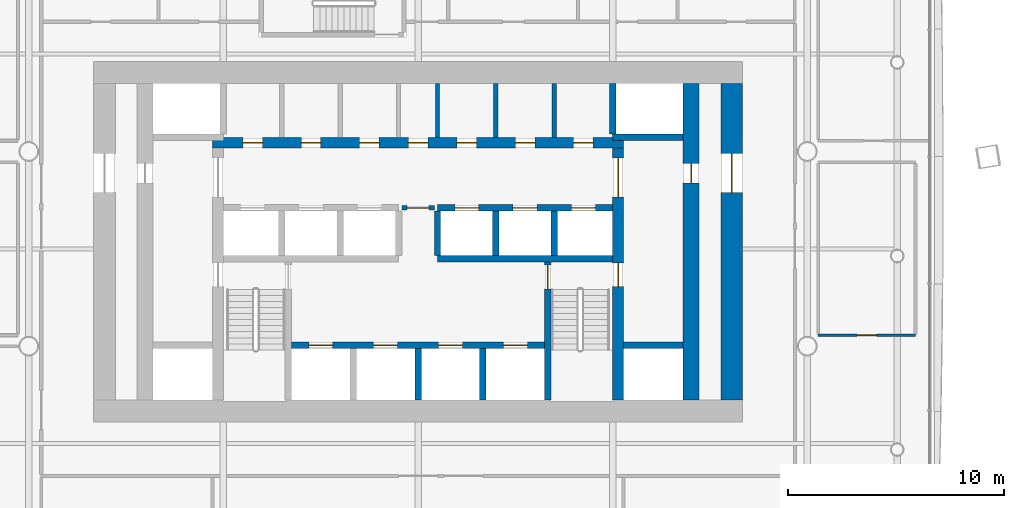
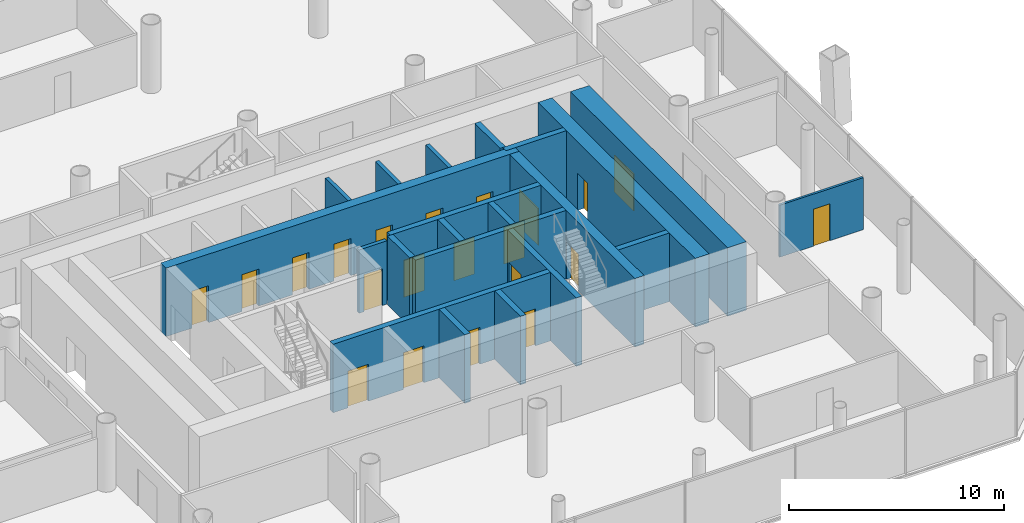
# One storey, part 14 of 21: 21 doors, 21 walls, 21 openings.
"""IFC4 building model written with IfcOpenShell, lengths in metres."""

from ifc_helpers import new_model, si_unit, direction, frame, frame_2d, origin, place, context, subcontext, project, spatial, rectangle, extrude, material, layer, layer_set, type_object, element, fill, save


model = new_model("IFC4")

# Units and contexts
model_context = context("Model", 3, precision=1e-05, world=origin(), true_north=direction((0.0, 1.0)))
body_context = subcontext(model_context, "Body", "Model", "MODEL_VIEW")
ifc_project = project(units=[si_unit("LENGTHUNIT", "METRE"), si_unit("AREAUNIT", "SQUARE_METRE"), si_unit("VOLUMEUNIT", "CUBIC_METRE"), si_unit("PLANEANGLEUNIT", "RADIAN"), si_unit("MASSUNIT", "GRAM", prefix="KILO")], contexts=[model_context])

# Site, building, storey
site_placement = place(None, origin())
site = spatial("IfcSite", under=ifc_project, at=site_placement, CompositionType="ELEMENT")
building_placement = place(site_placement, origin())
building = spatial("IfcBuilding", under=site, at=building_placement, Name="Tskaro Facet Tower", CompositionType="ELEMENT")
storey_placement = place(building_placement, frame((0.0, 0.0, 42.0)))
storey = spatial("IfcBuildingStorey", under=building, at=storey_placement, Name="L09", CompositionType="ELEMENT", Elevation=42.0)

# Wall, openings, doors
ifc_material_1 = material(Name="Concrete C60/75", Category="concrete")
ifc_layer_1 = layer(ifc_material_1, 0.300048828125, Name="Concrete C60/75")
ifc_layer_set_1 = layer_set([ifc_layer_1], Name="Concrete C60/75")
wall_type_1 = type_object("IfcWallType", Name="CORE-SHAFT", PredefinedType="SHEAR", material=ifc_layer_set_1)
wall_1_placement = place(storey_placement, frame((-5.85009765625, -8.949951171875, 0.0), z_axis=(0.0, 0.0, 1.0), x_axis=(1.0, 0.0, 0.0)))
wall_1 = element("IfcWall", 1, at=wall_1_placement, inside=storey, type_object=wall_type_1, Name="Shaft wall W006", PredefinedType="SHEAR", context=body_context, shape_type="SweptSolid", body=[
    extrude(rectangle(XDim=11.7001953125, YDim=0.300048828125, at=frame_2d((5.85009765625, 0.0))), origin(), (0.0, 0.0, 1.0), 3.89990234375),
])
opening_1_placement = place(wall_1_placement, frame((0.800048828125, 0.0, 0.0)))
opening_1 = element("IfcOpeningElement", 2, at=opening_1_placement, cuts=wall_1, Name="Opening LD-FF1", PredefinedType="OPENING", context=body_context, shape_type="SweptSolid", body=[
    extrude(rectangle(XDim=1.10009765625, YDim=2.10009765625, at=frame_2d((0.550048828125, 1.050048828125))), frame((0.0, 0.159912109375, 0.0), z_axis=(0.0, -1.0, 0.0), x_axis=(1.0, 0.0, 0.0)), (0.0, 0.0, 1.0), 0.320068359375),
])
opening_2_placement = place(wall_1_placement, frame((3.800048828125, 0.0, 0.0)))
opening_2 = element("IfcOpeningElement", 3, at=opening_2_placement, cuts=wall_1, Name="Opening LD-FF2", PredefinedType="OPENING", context=body_context, shape_type="SweptSolid", body=[
    extrude(rectangle(XDim=1.10009765625, YDim=2.10009765625, at=frame_2d((0.550048828125, 1.050048828125))), frame((0.0, 0.159912109375, 0.0), z_axis=(0.0, -1.0, 0.0), x_axis=(1.0, 0.0, 0.0)), (0.0, 0.0, 1.0), 0.320068359375),
])
opening_3_placement = place(wall_1_placement, frame((6.800048828125, 0.0, 0.0)))
opening_3 = element("IfcOpeningElement", 4, at=opening_3_placement, cuts=wall_1, Name="Opening LD-SV1", PredefinedType="OPENING", context=body_context, shape_type="SweptSolid", body=[
    extrude(rectangle(XDim=1.10009765625, YDim=2.10009765625, at=frame_2d((0.550048828125, 1.050048828125))), frame((0.0, 0.159912109375, 0.0), z_axis=(0.0, -1.0, 0.0), x_axis=(1.0, 0.0, 0.0)), (0.0, 0.0, 1.0), 0.320068359375),
])
opening_4_placement = place(wall_1_placement, frame((9.800048828125, 0.0, 0.0)))
opening_4 = element("IfcOpeningElement", 5, at=opening_4_placement, cuts=wall_1, Name="Opening LD-SV2", PredefinedType="OPENING", context=body_context, shape_type="SweptSolid", body=[
    extrude(rectangle(XDim=1.10009765625, YDim=2.10009765625, at=frame_2d((0.550048828125, 1.050048828125))), frame((0.0, 0.159912109375, 0.0), z_axis=(0.0, -1.0, 0.0), x_axis=(1.0, 0.0, 0.0)), (0.0, 0.0, 1.0), 0.320068359375),
])
ifc_material_2 = material(Name="Stainless steel", Category="steel")
door_type_1 = type_object("IfcDoorType", Name="D-LANDING", OperationType="NOTDEFINED", PredefinedType="DOOR", material=ifc_material_2)
door_1_placement = place(opening_1_placement, origin())
door_1 = element("IfcDoor", 6, at=door_1_placement, inside=storey, type_object=door_type_1, Name="Landing door FF1", OperationType="DOUBLE_DOOR_SLIDING", OverallHeight=2.10009765625, OverallWidth=1.10009765625, PredefinedType="DOOR", context=body_context, shape_type="SweptSolid", body=[
    extrude(rectangle(XDim=1.10009765625, YDim=2.10009765625, at=frame_2d((0.550048828125, 1.050048828125))), frame((0.0, 0.02490234375, 0.0), z_axis=(0.0, -1.0, 0.0), x_axis=(1.0, 0.0, 0.0)), (0.0, 0.0, 1.0), 0.050048828125),
])
fill(opening_1, door_1)
door_2_placement = place(opening_2_placement, origin())
door_2 = element("IfcDoor", 7, at=door_2_placement, inside=storey, type_object=door_type_1, Name="Landing door FF2", OperationType="DOUBLE_DOOR_SLIDING", OverallHeight=2.10009765625, OverallWidth=1.10009765625, PredefinedType="DOOR", context=body_context, shape_type="SweptSolid", body=[
    extrude(rectangle(XDim=1.10009765625, YDim=2.10009765625, at=frame_2d((0.550048828125, 1.050048828125))), frame((0.0, 0.02490234375, 0.0), z_axis=(0.0, -1.0, 0.0), x_axis=(1.0, 0.0, 0.0)), (0.0, 0.0, 1.0), 0.050048828125),
])
fill(opening_2, door_2)
door_3_placement = place(opening_3_placement, origin())
door_3 = element("IfcDoor", 8, at=door_3_placement, inside=storey, type_object=door_type_1, Name="Landing door SV1", OperationType="DOUBLE_DOOR_SLIDING", OverallHeight=2.10009765625, OverallWidth=1.10009765625, PredefinedType="DOOR", context=body_context, shape_type="SweptSolid", body=[
    extrude(rectangle(XDim=1.10009765625, YDim=2.10009765625, at=frame_2d((0.550048828125, 1.050048828125))), frame((0.0, 0.02490234375, 0.0), z_axis=(0.0, -1.0, 0.0), x_axis=(1.0, 0.0, 0.0)), (0.0, 0.0, 1.0), 0.050048828125),
])
fill(opening_3, door_3)
door_4_placement = place(opening_4_placement, origin())
door_4 = element("IfcDoor", 9, at=door_4_placement, inside=storey, type_object=door_type_1, Name="Landing door SV2", OperationType="DOUBLE_DOOR_SLIDING", OverallHeight=2.10009765625, OverallWidth=1.10009765625, PredefinedType="DOOR", context=body_context, shape_type="SweptSolid", body=[
    extrude(rectangle(XDim=1.10009765625, YDim=2.10009765625, at=frame_2d((0.550048828125, 1.050048828125))), frame((0.0, 0.02490234375, 0.0), z_axis=(0.0, -1.0, 0.0), x_axis=(1.0, 0.0, 0.0)), (0.0, 0.0, 1.0), 0.050048828125),
])
fill(opening_4, door_4)

# Walls
wall_2_placement = place(storey_placement, frame((9.5, -8.949951171875, 0.0), z_axis=(0.0, 0.0, 1.0), x_axis=(1.0, 0.0, 0.0)))
element("IfcWall", 10, at=wall_2_placement, inside=storey, type_object=wall_type_1, Name="Shaft wall W007", PredefinedType="SHEAR", context=body_context, shape_type="SweptSolid", body=[
    extrude(rectangle(XDim=2.75, YDim=0.300048828125, at=frame_2d((1.375, 0.0))), origin(), (0.0, 0.0, 1.0), 3.89990234375),
])
wall_3_placement = place(storey_placement, frame((0.89990234375, -4.949951171875, 0.0), z_axis=(0.0, 0.0, 1.0), x_axis=(1.0, 0.0, 0.0)))
element("IfcWall", 11, at=wall_3_placement, inside=storey, type_object=wall_type_1, Name="Shaft wall W011", PredefinedType="SHEAR", context=body_context, shape_type="SweptSolid", body=[
    extrude(rectangle(XDim=8.10009765625, YDim=0.300048828125, at=frame_2d((4.050048828125, 0.0))), origin(), (0.0, 0.0, 1.0), 3.89990234375),
])

# Wall, openings, doors
wall_4_placement = place(storey_placement, frame((0.89990234375, -2.60009765625, 0.0), z_axis=(0.0, 0.0, 1.0), x_axis=(1.0, 0.0, 0.0)))
wall_4 = element("IfcWall", 12, at=wall_4_placement, inside=storey, type_object=wall_type_1, Name="Shaft wall W014", PredefinedType="SHEAR", context=body_context, shape_type="SweptSolid", body=[
    extrude(rectangle(XDim=8.10009765625, YDim=0.300048828125, at=frame_2d((4.050048828125, 0.0))), origin(), (0.0, 0.0, 1.0), 3.89990234375),
])
opening_5_placement = place(wall_4_placement, frame((0.800048828125, 0.0, 0.0)))
opening_5 = element("IfcOpeningElement", 13, at=opening_5_placement, cuts=wall_4, Name="Opening LD-LR4", PredefinedType="OPENING", context=body_context, shape_type="SweptSolid", body=[
    extrude(rectangle(XDim=1.10009765625, YDim=2.10009765625, at=frame_2d((0.550048828125, 1.050048828125))), frame((0.0, 0.159912109375, 0.0), z_axis=(0.0, -1.0, 0.0), x_axis=(1.0, 0.0, 0.0)), (0.0, 0.0, 1.0), 0.320068359375),
])
opening_6_placement = place(wall_4_placement, frame((3.5, 0.0, 0.0)))
opening_6 = element("IfcOpeningElement", 14, at=opening_6_placement, cuts=wall_4, Name="Opening LD-LR5", PredefinedType="OPENING", context=body_context, shape_type="SweptSolid", body=[
    extrude(rectangle(XDim=1.10009765625, YDim=2.10009765625, at=frame_2d((0.550048828125, 1.050048828125))), frame((0.0, 0.159912109375, 0.0), z_axis=(0.0, -1.0, 0.0), x_axis=(1.0, 0.0, 0.0)), (0.0, 0.0, 1.0), 0.320068359375),
])
opening_7_placement = place(wall_4_placement, frame((6.199951171875, 0.0, 0.0)))
opening_7 = element("IfcOpeningElement", 15, at=opening_7_placement, cuts=wall_4, Name="Opening LD-LR6", PredefinedType="OPENING", context=body_context, shape_type="SweptSolid", body=[
    extrude(rectangle(XDim=1.10009765625, YDim=2.10009765625, at=frame_2d((0.550048828125, 1.050048828125))), frame((0.0, 0.159912109375, 0.0), z_axis=(0.0, -1.0, 0.0), x_axis=(1.0, 0.0, 0.0)), (0.0, 0.0, 1.0), 0.320068359375),
])
door_5_placement = place(opening_5_placement, origin())
door_5 = element("IfcDoor", 16, at=door_5_placement, inside=storey, type_object=door_type_1, Name="Landing door LR4", OperationType="DOUBLE_DOOR_SLIDING", OverallHeight=2.10009765625, OverallWidth=1.10009765625, PredefinedType="DOOR", context=body_context, shape_type="SweptSolid", body=[
    extrude(rectangle(XDim=1.10009765625, YDim=2.10009765625, at=frame_2d((0.550048828125, 1.050048828125))), frame((0.0, 0.02490234375, 0.0), z_axis=(0.0, -1.0, 0.0), x_axis=(1.0, 0.0, 0.0)), (0.0, 0.0, 1.0), 0.050048828125),
])
fill(opening_5, door_5)
door_6_placement = place(opening_6_placement, origin())
door_6 = element("IfcDoor", 17, at=door_6_placement, inside=storey, type_object=door_type_1, Name="Landing door LR5", OperationType="DOUBLE_DOOR_SLIDING", OverallHeight=2.10009765625, OverallWidth=1.10009765625, PredefinedType="DOOR", context=body_context, shape_type="SweptSolid", body=[
    extrude(rectangle(XDim=1.10009765625, YDim=2.10009765625, at=frame_2d((0.550048828125, 1.050048828125))), frame((0.0, 0.02490234375, 0.0), z_axis=(0.0, -1.0, 0.0), x_axis=(1.0, 0.0, 0.0)), (0.0, 0.0, 1.0), 0.050048828125),
])
fill(opening_6, door_6)
door_7_placement = place(opening_7_placement, origin())
door_7 = element("IfcDoor", 18, at=door_7_placement, inside=storey, type_object=door_type_1, Name="Landing door LR6", OperationType="DOUBLE_DOOR_SLIDING", OverallHeight=2.10009765625, OverallWidth=1.10009765625, PredefinedType="DOOR", context=body_context, shape_type="SweptSolid", body=[
    extrude(rectangle(XDim=1.10009765625, YDim=2.10009765625, at=frame_2d((0.550048828125, 1.050048828125))), frame((0.0, 0.02490234375, 0.0), z_axis=(0.0, -1.0, 0.0), x_axis=(1.0, 0.0, 0.0)), (0.0, 0.0, 1.0), 0.050048828125),
])
fill(opening_7, door_7)

# Walls
wall_5_placement = place(storey_placement, frame((12.25, 0.64990234375, 0.0), z_axis=(0.0, 0.0, 1.0), x_axis=(-1.0, 0.0, 0.0)))
element("IfcWall", 19, at=wall_5_placement, inside=storey, type_object=wall_type_1, Name="Shaft wall W020", PredefinedType="SHEAR", context=body_context, shape_type="SweptSolid", body=[
    extrude(rectangle(XDim=3.25, YDim=0.300048828125, at=frame_2d((1.625, 0.0))), origin(), (0.0, 0.0, 1.0), 3.89990234375),
])
wall_6_placement = place(storey_placement, frame((0.0, -11.5, 0.0), z_axis=(0.0, 0.0, 1.0), x_axis=(0.0, 1.0, 0.0)))
element("IfcWall", 20, at=wall_6_placement, inside=storey, type_object=wall_type_1, Name="Shaft wall W059", PredefinedType="SHEAR", context=body_context, shape_type="SweptSolid", body=[
    extrude(rectangle(XDim=2.39990234375, YDim=0.300048828125, at=frame_2d((1.199951171875, 0.0))), origin(), (0.0, 0.0, 1.0), 3.89990234375),
])
wall_7_placement = place(storey_placement, frame((0.89990234375, -4.800048828125, 0.0), z_axis=(0.0, 0.0, 1.0), x_axis=(0.0, 1.0, 0.0)))
element("IfcWall", 21, at=wall_7_placement, inside=storey, type_object=wall_type_1, Name="Shaft wall W060", PredefinedType="SHEAR", context=body_context, shape_type="SweptSolid", body=[
    extrude(rectangle(XDim=2.050048828125, YDim=0.300048828125, at=frame_2d((1.02490234375, 0.0))), origin(), (0.0, 0.0, 1.0), 3.89990234375),
])
wall_8_placement = place(storey_placement, frame((3.0, -11.5, 0.0), z_axis=(0.0, 0.0, 1.0), x_axis=(0.0, 1.0, 0.0)))
element("IfcWall", 22, at=wall_8_placement, inside=storey, type_object=wall_type_1, Name="Shaft wall W063", PredefinedType="SHEAR", context=body_context, shape_type="SweptSolid", body=[
    extrude(rectangle(XDim=2.39990234375, YDim=0.300048828125, at=frame_2d((1.199951171875, 0.0))), origin(), (0.0, 0.0, 1.0), 3.89990234375),
])
wall_9_placement = place(storey_placement, frame((3.60009765625, -4.800048828125, 0.0), z_axis=(0.0, 0.0, 1.0), x_axis=(0.0, 1.0, 0.0)))
element("IfcWall", 23, at=wall_9_placement, inside=storey, type_object=wall_type_1, Name="Shaft wall W064", PredefinedType="SHEAR", context=body_context, shape_type="SweptSolid", body=[
    extrude(rectangle(XDim=2.050048828125, YDim=0.300048828125, at=frame_2d((1.02490234375, 0.0))), origin(), (0.0, 0.0, 1.0), 3.89990234375),
])

# Wall, opening, door
wall_10_placement = place(storey_placement, frame((6.0, -5.10009765625, 0.0), z_axis=(0.0, 0.0, 1.0), x_axis=(0.0, -1.0, 0.0)))
wall_10 = element("IfcWall", 24, at=wall_10_placement, inside=storey, type_object=wall_type_1, Name="Shaft wall W066", PredefinedType="SHEAR", context=body_context, shape_type="SweptSolid", body=[
    extrude(rectangle(XDim=6.39990234375, YDim=0.300048828125, at=frame_2d((3.199951171875, 0.0))), origin(), (0.0, 0.0, 1.0), 3.89990234375),
])
opening_8_placement = place(wall_10_placement, frame((0.14990234375, 0.0, 0.0)))
opening_8 = element("IfcOpeningElement", 25, at=opening_8_placement, cuts=wall_10, Name="Opening ST-2-D1", PredefinedType="OPENING", context=body_context, shape_type="SweptSolid", body=[
    extrude(rectangle(XDim=1.10009765625, YDim=2.10009765625, at=frame_2d((0.550048828125, 1.050048828125))), frame((0.0, 0.159912109375, 0.0), z_axis=(0.0, -1.0, 0.0), x_axis=(1.0, 0.0, 0.0)), (0.0, 0.0, 1.0), 0.320068359375),
])
ifc_material_3 = material(Name="Steel", Category="steel")
door_type_2 = type_object("IfcDoorType", Name="D-STAIR", OperationType="NOTDEFINED", PredefinedType="DOOR", material=ifc_material_3)
door_8_placement = place(opening_8_placement, origin())
door_8 = element("IfcDoor", 26, at=door_8_placement, inside=storey, type_object=door_type_2, Name="Stair door 2", OperationType="SINGLE_SWING_RIGHT", OverallHeight=2.10009765625, OverallWidth=1.10009765625, PredefinedType="DOOR", context=body_context, shape_type="SweptSolid", body=[
    extrude(rectangle(XDim=1.10009765625, YDim=2.10009765625, at=frame_2d((0.550048828125, 1.050048828125))), frame((0.0, 0.02490234375, 0.0), z_axis=(0.0, -1.0, 0.0), x_axis=(1.0, 0.0, 0.0)), (0.0, 0.0, 1.0), 0.050048828125),
])
fill(opening_8, door_8)

# Walls
wall_11_placement = place(storey_placement, frame((6.300048828125, -4.800048828125, 0.0), z_axis=(0.0, 0.0, 1.0), x_axis=(0.0, 1.0, 0.0)))
element("IfcWall", 27, at=wall_11_placement, inside=storey, type_object=wall_type_1, Name="Shaft wall W067", PredefinedType="SHEAR", context=body_context, shape_type="SweptSolid", body=[
    extrude(rectangle(XDim=2.050048828125, YDim=0.300048828125, at=frame_2d((1.02490234375, 0.0))), origin(), (0.0, 0.0, 1.0), 3.89990234375),
])
wall_12_placement = place(storey_placement, frame((9.0, 0.800048828125, 0.0), z_axis=(0.0, 0.0, 1.0), x_axis=(0.0, 1.0, 0.0)))
element("IfcWall", 28, at=wall_12_placement, inside=storey, type_object=wall_type_1, Name="Shaft wall W070", PredefinedType="SHEAR", context=body_context, shape_type="SweptSolid", body=[
    extrude(rectangle(XDim=2.349853515625, YDim=0.300048828125, at=frame_2d((1.1748046875, 0.0))), origin(), (0.0, 0.0, 1.0), 3.89990234375),
])

# Wall, opening, door
ifc_material_4 = material(Name="Concrete C20/25", Category="concrete")
ifc_layer_2 = layer(ifc_material_4, 0.199951171875, Name="Concrete C20/25")
ifc_layer_set_2 = layer_set([ifc_layer_2], Name="Concrete C20/25")
wall_type_2 = type_object("IfcWallType", Name="CORE-WALL", PredefinedType="SOLIDWALL", material=ifc_layer_set_2)
wall_13_placement = place(storey_placement, frame((0.75, -2.60009765625, 0.0), z_axis=(0.0, 0.0, 1.0), x_axis=(-1.0, 0.0, 0.0)))
wall_13 = element("IfcWall", 29, at=wall_13_placement, inside=storey, type_object=wall_type_2, Name="Core room wall W013", PredefinedType="SOLIDWALL", context=body_context, shape_type="SweptSolid", body=[
    extrude(rectangle(XDim=1.5, YDim=0.199951171875, at=frame_2d((0.75, 0.0))), origin(), (0.0, 0.0, 1.0), 3.60009765625),
])
opening_9_placement = place(wall_13_placement, frame((0.25, 0.0, 0.0)))
opening_9 = element("IfcOpeningElement", 30, at=opening_9_placement, cuts=wall_13, Name="Opening FL-D1", PredefinedType="OPENING", context=body_context, shape_type="SweptSolid", body=[
    extrude(rectangle(XDim=1.0, YDim=2.10009765625, at=frame_2d((0.5, 1.050048828125))), frame((0.0, 0.10986328125, 0.0), z_axis=(0.0, -1.0, 0.0), x_axis=(1.0, 0.0, 0.0)), (0.0, 0.0, 1.0), 0.219970703125),
])
door_type_3 = type_object("IfcDoorType", Name="D-LOBBY", OperationType="NOTDEFINED", PredefinedType="DOOR", material=ifc_material_3)
door_9_placement = place(opening_9_placement, origin())
door_9 = element("IfcDoor", 31, at=door_9_placement, inside=storey, type_object=door_type_3, Name="Lobby door FL", OperationType="SINGLE_SWING_RIGHT", OverallHeight=2.10009765625, OverallWidth=1.0, PredefinedType="DOOR", context=body_context, shape_type="SweptSolid", body=[
    extrude(rectangle(XDim=1.0, YDim=2.10009765625, at=frame_2d((0.5, 1.050048828125))), frame((0.0, 0.02490234375, 0.0), z_axis=(0.0, -1.0, 0.0), x_axis=(1.0, 0.0, 0.0)), (0.0, 0.0, 1.0), 0.050048828125),
])
fill(opening_9, door_9)

# Walls
for number, where, z_axis, x_axis, name in (
    (32, (0.89990234375, 0.64990234375, 0.0), (0.0, 0.0, 1.0), (0.0, 1.0, 0.0), "Core room wall W061"),
    (33, (3.60009765625, 0.64990234375, 0.0), (0.0, 0.0, 1.0), (0.0, 1.0, 0.0), "Core room wall W065"),
    (34, (6.300048828125, 0.64990234375, 0.0), (0.0, 0.0, 1.0), (0.0, 1.0, 0.0), "Core room wall W068"),
):
    element("IfcWall", number, at=place(storey_placement, frame(where, z_axis=z_axis, x_axis=x_axis)), inside=storey, type_object=wall_type_2, Name=name, PredefinedType="SOLIDWALL", context=body_context, shape_type="SweptSolid", body=[
        extrude(rectangle(XDim=2.5, YDim=0.199951171875, at=frame_2d((1.25, 0.0))), origin(), (0.0, 0.0, 1.0), 3.60009765625),
    ])

# Wall, opening, door
ifc_layer_3 = layer(ifc_material_1, 1.0, Name="Concrete C60/75")
ifc_layer_set_3 = layer_set([ifc_layer_3], Name="Concrete C60/75")
wall_type_3 = type_object("IfcWallType", Name="Core wall 1000", PredefinedType="SHEAR", material=ifc_layer_set_3)
wall_14_placement = place(storey_placement, frame((14.5, -11.5, 0.0), z_axis=(0.0, 0.0, 1.0), x_axis=(0.0, 1.0, 0.0)))
wall_14 = element("IfcWall", 35, at=wall_14_placement, inside=storey, type_object=wall_type_3, Name="Core wall CW-Z1E", PredefinedType="SHEAR", context=body_context, shape_type="SweptSolid", body=[
    extrude(rectangle(XDim=14.64990234375, YDim=1.0, at=frame_2d((7.324951171875, 0.0))), origin(), (0.0, 0.0, 1.0), 3.89990234375),
])
opening_10_placement = place(wall_14_placement, frame((9.60009765625, 0.0, 0.0)))
opening_10 = element("IfcOpeningElement", 36, at=opening_10_placement, cuts=wall_14, Name="Opening T2-D19", PredefinedType="OPENING", context=body_context, shape_type="SweptSolid", body=[
    extrude(rectangle(XDim=1.800048828125, YDim=2.10009765625, at=frame_2d((0.89990234375, 1.050048828125))), frame((0.0, 0.510009765625, 0.0), z_axis=(0.0, -1.0, 0.0), x_axis=(1.0, 0.0, 0.0)), (0.0, 0.0, 1.0), 1.02001953125),
])
door_type_4 = type_object("IfcDoorType", Name="D-CORE-PAIR", OperationType="NOTDEFINED", PredefinedType="DOOR", material=ifc_material_3)
door_10_placement = place(opening_10_placement, origin())
door_10 = element("IfcDoor", 37, at=door_10_placement, inside=storey, type_object=door_type_4, Name="Door T2-D19", OperationType="DOUBLE_DOOR_SINGLE_SWING", OverallHeight=2.10009765625, OverallWidth=1.800048828125, PredefinedType="DOOR", context=body_context, shape_type="SweptSolid", body=[
    extrude(rectangle(XDim=1.800048828125, YDim=2.10009765625, at=frame_2d((0.89990234375, 1.050048828125))), frame((0.0, 0.02490234375, 0.0), z_axis=(0.0, -1.0, 0.0), x_axis=(1.0, 0.0, 0.0)), (0.0, 0.0, 1.0), 0.050048828125),
])
fill(opening_10, door_10)

# Wall, openings, doors
ifc_material_5 = material(Name="Concrete C40/50", Category="concrete")
ifc_layer_4 = layer(ifc_material_5, 0.5, Name="Concrete C40/50")
ifc_layer_set_4 = layer_set([ifc_layer_4], Name="Concrete C40/50")
wall_type_4 = type_object("IfcWallType", Name="Core wall 500", PredefinedType="SHEAR", material=ifc_layer_set_4)
wall_15_placement = place(storey_placement, frame((-9.5, 0.39990234375, 0.0), z_axis=(0.0, 0.0, 1.0), x_axis=(1.0, 0.0, 0.0)))
wall_15 = element("IfcWall", 38, at=wall_15_placement, inside=storey, type_object=wall_type_4, Name="Core wall CW-Z3N", PredefinedType="SHEAR", context=body_context, shape_type="SweptSolid", body=[
    extrude(rectangle(XDim=19.0, YDim=0.5, at=frame_2d((9.5, 0.0))), origin(), (0.0, 0.0, 1.0), 3.89990234375),
])
opening_11_placement = place(wall_15_placement, frame((1.39990234375, 0.0, 0.0)))
opening_11 = element("IfcOpeningElement", 39, at=opening_11_placement, cuts=wall_15, Name="Opening T2-D20", PredefinedType="OPENING", context=body_context, shape_type="SweptSolid", body=[
    extrude(rectangle(XDim=0.89990234375, YDim=2.10009765625, at=frame_2d((0.449951171875, 1.050048828125))), frame((0.0, 0.260009765625, 0.0), z_axis=(0.0, -1.0, 0.0), x_axis=(1.0, 0.0, 0.0)), (0.0, 0.0, 1.0), 0.52001953125),
])
opening_12_placement = place(wall_15_placement, frame((4.10009765625, 0.0, 0.0)))
opening_12 = element("IfcOpeningElement", 40, at=opening_12_placement, cuts=wall_15, Name="Opening T2-D21", PredefinedType="OPENING", context=body_context, shape_type="SweptSolid", body=[
    extrude(rectangle(XDim=0.89990234375, YDim=2.10009765625, at=frame_2d((0.449951171875, 1.050048828125))), frame((0.0, 0.260009765625, 0.0), z_axis=(0.0, -1.0, 0.0), x_axis=(1.0, 0.0, 0.0)), (0.0, 0.0, 1.0), 0.52001953125),
])
opening_13_placement = place(wall_15_placement, frame((6.800048828125, 0.0, 0.0)))
opening_13 = element("IfcOpeningElement", 41, at=opening_13_placement, cuts=wall_15, Name="Opening T2-D22", PredefinedType="OPENING", context=body_context, shape_type="SweptSolid", body=[
    extrude(rectangle(XDim=0.89990234375, YDim=2.10009765625, at=frame_2d((0.449951171875, 1.050048828125))), frame((0.0, 0.260009765625, 0.0), z_axis=(0.0, -1.0, 0.0), x_axis=(1.0, 0.0, 0.0)), (0.0, 0.0, 1.0), 0.52001953125),
])
opening_14_placement = place(wall_15_placement, frame((11.300048828125, 0.0, 0.0)))
opening_14 = element("IfcOpeningElement", 42, at=opening_14_placement, cuts=wall_15, Name="Opening T2-D24", PredefinedType="OPENING", context=body_context, shape_type="SweptSolid", body=[
    extrude(rectangle(XDim=0.89990234375, YDim=2.10009765625, at=frame_2d((0.449951171875, 1.050048828125))), frame((0.0, 0.260009765625, 0.0), z_axis=(0.0, -1.0, 0.0), x_axis=(1.0, 0.0, 0.0)), (0.0, 0.0, 1.0), 0.52001953125),
])
opening_15_placement = place(wall_15_placement, frame((14.0, 0.0, 0.0)))
opening_15 = element("IfcOpeningElement", 43, at=opening_15_placement, cuts=wall_15, Name="Opening T2-D25", PredefinedType="OPENING", context=body_context, shape_type="SweptSolid", body=[
    extrude(rectangle(XDim=0.89990234375, YDim=2.10009765625, at=frame_2d((0.449951171875, 1.050048828125))), frame((0.0, 0.260009765625, 0.0), z_axis=(0.0, -1.0, 0.0), x_axis=(1.0, 0.0, 0.0)), (0.0, 0.0, 1.0), 0.52001953125),
])
opening_16_placement = place(wall_15_placement, frame((16.699951171875, 0.0, 0.0)))
opening_16 = element("IfcOpeningElement", 44, at=opening_16_placement, cuts=wall_15, Name="Opening T2-D26", PredefinedType="OPENING", context=body_context, shape_type="SweptSolid", body=[
    extrude(rectangle(XDim=0.89990234375, YDim=2.10009765625, at=frame_2d((0.449951171875, 1.050048828125))), frame((0.0, 0.260009765625, 0.0), z_axis=(0.0, -1.0, 0.0), x_axis=(1.0, 0.0, 0.0)), (0.0, 0.0, 1.0), 0.52001953125),
])
opening_17_placement = place(wall_15_placement, frame((9.050048828125, 0.0, 0.0)))
opening_17 = element("IfcOpeningElement", 45, at=opening_17_placement, cuts=wall_15, Name="Opening T2-D23", PredefinedType="OPENING", context=body_context, shape_type="SweptSolid", body=[
    extrude(rectangle(XDim=0.89990234375, YDim=2.10009765625, at=frame_2d((0.449951171875, 1.050048828125))), frame((0.0, 0.260009765625, 0.0), z_axis=(0.0, -1.0, 0.0), x_axis=(1.0, 0.0, 0.0)), (0.0, 0.0, 1.0), 0.52001953125),
])
door_type_5 = type_object("IfcDoorType", Name="D-RISER", OperationType="NOTDEFINED", PredefinedType="DOOR", material=ifc_material_3)
door_11_placement = place(opening_17_placement, origin())
door_11 = element("IfcDoor", 46, at=door_11_placement, inside=storey, type_object=door_type_5, Name="Door T2-D23", OperationType="SINGLE_SWING_LEFT", OverallHeight=2.10009765625, OverallWidth=0.89990234375, PredefinedType="DOOR", context=body_context, shape_type="SweptSolid", body=[
    extrude(rectangle(XDim=0.89990234375, YDim=2.10009765625, at=frame_2d((0.449951171875, 1.050048828125))), frame((0.0, 0.02490234375, 0.0), z_axis=(0.0, -1.0, 0.0), x_axis=(1.0, 0.0, 0.0)), (0.0, 0.0, 1.0), 0.050048828125),
])
fill(opening_17, door_11)
ifc_material_6 = material(Name="Timber", Category="wood")
door_type_6 = type_object("IfcDoorType", Name="D-ROOM", OperationType="NOTDEFINED", PredefinedType="DOOR", material=ifc_material_6)
door_12_placement = place(opening_11_placement, origin())
door_12 = element("IfcDoor", 47, at=door_12_placement, inside=storey, type_object=door_type_6, Name="Door T2-D20", OperationType="SINGLE_SWING_LEFT", OverallHeight=2.10009765625, OverallWidth=0.89990234375, PredefinedType="DOOR", context=body_context, shape_type="SweptSolid", body=[
    extrude(rectangle(XDim=0.89990234375, YDim=2.10009765625, at=frame_2d((0.449951171875, 1.050048828125))), frame((0.0, 0.02490234375, 0.0), z_axis=(0.0, -1.0, 0.0), x_axis=(1.0, 0.0, 0.0)), (0.0, 0.0, 1.0), 0.050048828125),
])
fill(opening_11, door_12)
door_13_placement = place(opening_12_placement, origin())
door_13 = element("IfcDoor", 48, at=door_13_placement, inside=storey, type_object=door_type_6, Name="Door T2-D21", OperationType="SINGLE_SWING_LEFT", OverallHeight=2.10009765625, OverallWidth=0.89990234375, PredefinedType="DOOR", context=body_context, shape_type="SweptSolid", body=[
    extrude(rectangle(XDim=0.89990234375, YDim=2.10009765625, at=frame_2d((0.449951171875, 1.050048828125))), frame((0.0, 0.02490234375, 0.0), z_axis=(0.0, -1.0, 0.0), x_axis=(1.0, 0.0, 0.0)), (0.0, 0.0, 1.0), 0.050048828125),
])
fill(opening_12, door_13)
door_14_placement = place(opening_13_placement, origin())
door_14 = element("IfcDoor", 49, at=door_14_placement, inside=storey, type_object=door_type_6, Name="Door T2-D22", OperationType="SINGLE_SWING_LEFT", OverallHeight=2.10009765625, OverallWidth=0.89990234375, PredefinedType="DOOR", context=body_context, shape_type="SweptSolid", body=[
    extrude(rectangle(XDim=0.89990234375, YDim=2.10009765625, at=frame_2d((0.449951171875, 1.050048828125))), frame((0.0, 0.02490234375, 0.0), z_axis=(0.0, -1.0, 0.0), x_axis=(1.0, 0.0, 0.0)), (0.0, 0.0, 1.0), 0.050048828125),
])
fill(opening_13, door_14)
door_15_placement = place(opening_14_placement, origin())
door_15 = element("IfcDoor", 50, at=door_15_placement, inside=storey, type_object=door_type_6, Name="Door T2-D24", OperationType="SINGLE_SWING_LEFT", OverallHeight=2.10009765625, OverallWidth=0.89990234375, PredefinedType="DOOR", context=body_context, shape_type="SweptSolid", body=[
    extrude(rectangle(XDim=0.89990234375, YDim=2.10009765625, at=frame_2d((0.449951171875, 1.050048828125))), frame((0.0, 0.02490234375, 0.0), z_axis=(0.0, -1.0, 0.0), x_axis=(1.0, 0.0, 0.0)), (0.0, 0.0, 1.0), 0.050048828125),
])
fill(opening_14, door_15)
door_16_placement = place(opening_15_placement, origin())
door_16 = element("IfcDoor", 51, at=door_16_placement, inside=storey, type_object=door_type_6, Name="Door T2-D25", OperationType="SINGLE_SWING_LEFT", OverallHeight=2.10009765625, OverallWidth=0.89990234375, PredefinedType="DOOR", context=body_context, shape_type="SweptSolid", body=[
    extrude(rectangle(XDim=0.89990234375, YDim=2.10009765625, at=frame_2d((0.449951171875, 1.050048828125))), frame((0.0, 0.02490234375, 0.0), z_axis=(0.0, -1.0, 0.0), x_axis=(1.0, 0.0, 0.0)), (0.0, 0.0, 1.0), 0.050048828125),
])
fill(opening_15, door_16)
door_17_placement = place(opening_16_placement, origin())
door_17 = element("IfcDoor", 52, at=door_17_placement, inside=storey, type_object=door_type_6, Name="Door T2-D26", OperationType="SINGLE_SWING_LEFT", OverallHeight=2.10009765625, OverallWidth=0.89990234375, PredefinedType="DOOR", context=body_context, shape_type="SweptSolid", body=[
    extrude(rectangle(XDim=0.89990234375, YDim=2.10009765625, at=frame_2d((0.449951171875, 1.050048828125))), frame((0.0, 0.02490234375, 0.0), z_axis=(0.0, -1.0, 0.0), x_axis=(1.0, 0.0, 0.0)), (0.0, 0.0, 1.0), 0.050048828125),
])
fill(opening_16, door_17)

wall_16_placement = place(storey_placement, frame((9.25, -11.5, 0.0), z_axis=(0.0, 0.0, 1.0), x_axis=(0.0, 1.0, 0.0)))
wall_16 = element("IfcWall", 53, at=wall_16_placement, inside=storey, type_object=wall_type_4, Name="Core wall CW-Z3E", PredefinedType="SHEAR", context=body_context, shape_type="SweptSolid", body=[
    extrude(rectangle(XDim=11.64990234375, YDim=0.5, at=frame_2d((5.824951171875, 0.0))), origin(), (0.0, 0.0, 1.0), 3.89990234375),
])
opening_18_placement = place(wall_16_placement, frame((9.39990234375, 0.0, 0.0)))
opening_18 = element("IfcOpeningElement", 54, at=opening_18_placement, cuts=wall_16, Name="Opening T2-D15", PredefinedType="OPENING", context=body_context, shape_type="SweptSolid", body=[
    extrude(rectangle(XDim=1.800048828125, YDim=2.10009765625, at=frame_2d((0.89990234375, 1.050048828125))), frame((0.0, 0.260009765625, 0.0), z_axis=(0.0, -1.0, 0.0), x_axis=(1.0, 0.0, 0.0)), (0.0, 0.0, 1.0), 0.52001953125),
])
opening_19_placement = place(wall_16_placement, frame((5.25, 0.0, 0.0)))
opening_19 = element("IfcOpeningElement", 55, at=opening_19_placement, cuts=wall_16, Name="Opening ST-2-D2", PredefinedType="OPENING", context=body_context, shape_type="SweptSolid", body=[
    extrude(rectangle(XDim=1.10009765625, YDim=2.10009765625, at=frame_2d((0.550048828125, 1.050048828125))), frame((0.0, 0.260009765625, 0.0), z_axis=(0.0, -1.0, 0.0), x_axis=(1.0, 0.0, 0.0)), (0.0, 0.0, 1.0), 0.52001953125),
])
door_18_placement = place(opening_18_placement, origin())
door_18 = element("IfcDoor", 56, at=door_18_placement, inside=storey, type_object=door_type_4, Name="Door T2-D15", OperationType="DOUBLE_DOOR_SINGLE_SWING", OverallHeight=2.10009765625, OverallWidth=1.800048828125, PredefinedType="DOOR", context=body_context, shape_type="SweptSolid", body=[
    extrude(rectangle(XDim=1.800048828125, YDim=2.10009765625, at=frame_2d((0.89990234375, 1.050048828125))), frame((0.0, 0.02490234375, 0.0), z_axis=(0.0, -1.0, 0.0), x_axis=(1.0, 0.0, 0.0)), (0.0, 0.0, 1.0), 0.050048828125),
])
fill(opening_18, door_18)
door_19_placement = place(opening_19_placement, origin())
door_19 = element("IfcDoor", 57, at=door_19_placement, inside=storey, type_object=door_type_2, Name="Stair door 2 east", OperationType="SINGLE_SWING_LEFT", OverallHeight=2.10009765625, OverallWidth=1.10009765625, PredefinedType="DOOR", context=body_context, shape_type="SweptSolid", body=[
    extrude(rectangle(XDim=1.10009765625, YDim=2.10009765625, at=frame_2d((0.550048828125, 1.050048828125))), frame((0.0, 0.02490234375, 0.0), z_axis=(0.0, -1.0, 0.0), x_axis=(1.0, 0.0, 0.0)), (0.0, 0.0, 1.0), 0.050048828125),
])
fill(opening_19, door_19)

# Wall, opening, door
ifc_material_7 = material(Name="Concrete C50/60", Category="concrete")
ifc_layer_5 = layer(ifc_material_7, 0.75, Name="Concrete C50/60")
ifc_layer_set_5 = layer_set([ifc_layer_5], Name="Concrete C50/60")
wall_type_5 = type_object("IfcWallType", Name="Core wall 750", PredefinedType="SHEAR", material=ifc_layer_set_5)
wall_17_placement = place(storey_placement, frame((12.625, -11.5, 0.0), z_axis=(0.0, 0.0, 1.0), x_axis=(0.0, 1.0, 0.0)))
wall_17 = element("IfcWall", 58, at=wall_17_placement, inside=storey, type_object=wall_type_5, Name="Core wall CW-Z2E", PredefinedType="SHEAR", context=body_context, shape_type="SweptSolid", body=[
    extrude(rectangle(XDim=14.64990234375, YDim=0.75, at=frame_2d((7.324951171875, 0.0))), origin(), (0.0, 0.0, 1.0), 3.89990234375),
])
opening_20_placement = place(wall_17_placement, frame((10.050048828125, 0.0, 0.0)))
opening_20 = element("IfcOpeningElement", 59, at=opening_20_placement, cuts=wall_17, Name="Opening T2-D18", PredefinedType="OPENING", context=body_context, shape_type="SweptSolid", body=[
    extrude(rectangle(XDim=0.89990234375, YDim=2.10009765625, at=frame_2d((0.449951171875, 1.050048828125))), frame((0.0, 0.385009765625, 0.0), z_axis=(0.0, -1.0, 0.0), x_axis=(1.0, 0.0, 0.0)), (0.0, 0.0, 1.0), 0.77001953125),
])
door_20_placement = place(opening_20_placement, origin())
door_20 = element("IfcDoor", 60, at=door_20_placement, inside=storey, type_object=door_type_6, Name="Door T2-D18", OperationType="SINGLE_SWING_LEFT", OverallHeight=2.10009765625, OverallWidth=0.89990234375, PredefinedType="DOOR", context=body_context, shape_type="SweptSolid", body=[
    extrude(rectangle(XDim=0.89990234375, YDim=2.10009765625, at=frame_2d((0.449951171875, 1.050048828125))), frame((0.0, 0.02490234375, 0.0), z_axis=(0.0, -1.0, 0.0), x_axis=(1.0, 0.0, 0.0)), (0.0, 0.0, 1.0), 0.050048828125),
])
fill(opening_20, door_20)

ifc_material_8 = material(Name="Gypsum board on steel studs", Category="steel")
ifc_layer_6 = layer(ifc_material_8, 0.125, Name="Gypsum board on steel studs")
ifc_layer_set_6 = layer_set([ifc_layer_6], Name="Gypsum board on steel studs")
wall_type_6 = type_object("IfcWallType", Name="PART", PredefinedType="PARTITIONING", material=ifc_layer_set_6)
wall_18_placement = place(storey_placement, frame((18.5, -8.5, 0.0), z_axis=(0.0, 0.0, 1.0), x_axis=(1.0, 0.0, 0.0)))
wall_18 = element("IfcWall", 61, at=wall_18_placement, inside=storey, type_object=wall_type_6, Name="Partition W009", PredefinedType="PARTITIONING", context=body_context, shape_type="SweptSolid", body=[
    extrude(rectangle(XDim=4.5, YDim=0.125, at=frame_2d((2.25, 0.0))), origin(), (0.0, 0.0, 1.0), 2.9599609375),
])
opening_21_placement = place(wall_18_placement, frame((1.800048828125, 0.0, 0.0)))
opening_21 = element("IfcOpeningElement", 62, at=opening_21_placement, cuts=wall_18, Name="Opening T2-D09", PredefinedType="OPENING", context=body_context, shape_type="SweptSolid", body=[
    extrude(rectangle(XDim=0.89990234375, YDim=2.10009765625, at=frame_2d((0.449951171875, 1.050048828125))), frame((0.0, 0.072509765625, 0.0), z_axis=(0.0, -1.0, 0.0), x_axis=(1.0, 0.0, 0.0)), (0.0, 0.0, 1.0), 0.14501953125),
])
door_21_placement = place(opening_21_placement, origin())
door_21 = element("IfcDoor", 63, at=door_21_placement, inside=storey, type_object=door_type_6, Name="Door T2-D09", OperationType="SINGLE_SWING_LEFT", OverallHeight=2.10009765625, OverallWidth=0.89990234375, PredefinedType="DOOR", context=body_context, shape_type="SweptSolid", body=[
    extrude(rectangle(XDim=0.89990234375, YDim=2.10009765625, at=frame_2d((0.449951171875, 1.050048828125))), frame((0.0, 0.02490234375, 0.0), z_axis=(0.0, -1.0, 0.0), x_axis=(1.0, 0.0, 0.0)), (0.0, 0.0, 1.0), 0.050048828125),
])
fill(opening_21, door_21)

save(model, "model.ifc")
